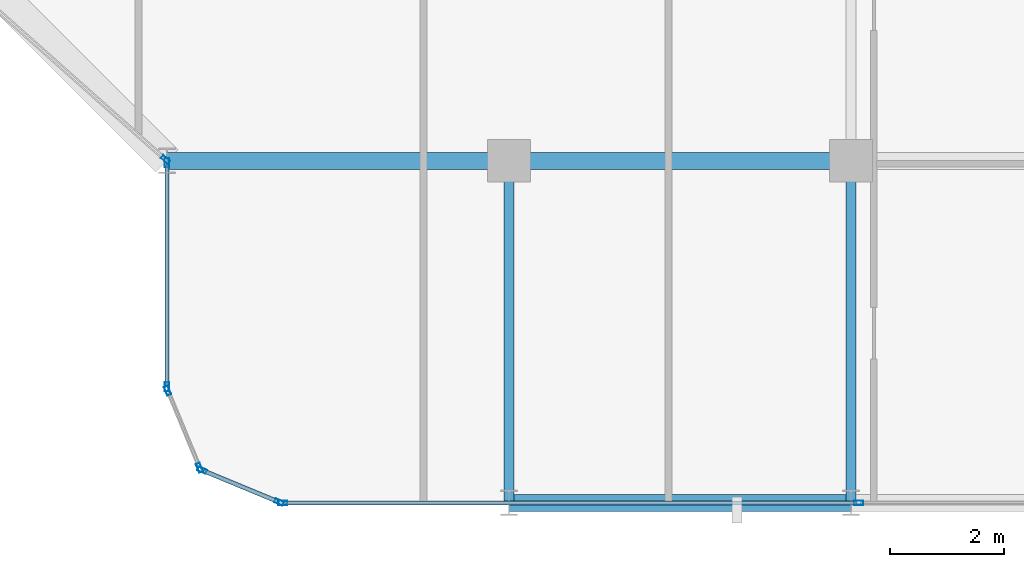
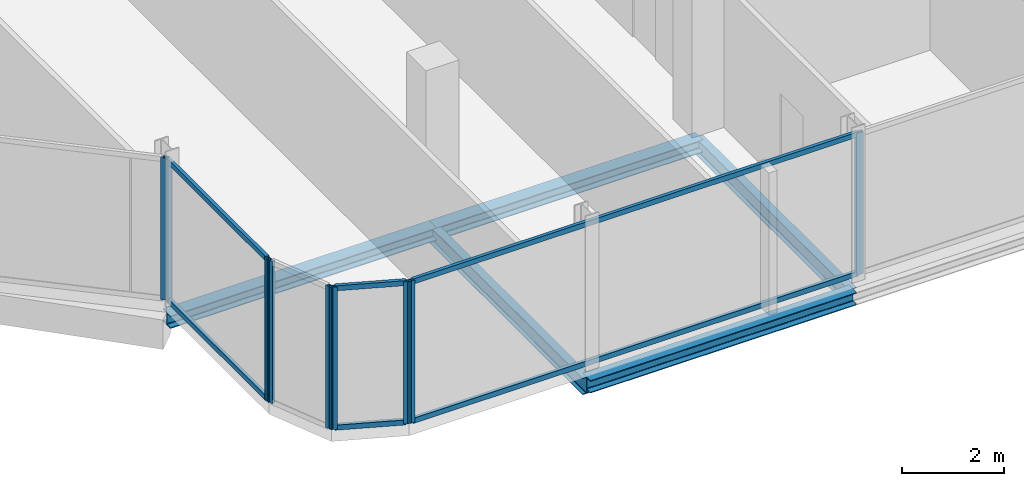
# One storey, part 6 of 29: 15 members, 5 beams, 5 elements without a shape of their own.
"""IFC4 building model written with IfcOpenShell, lengths in metres."""

from ifc_helpers import new_model, si_unit, direction, frame, origin, origin_2d, place, context, subcontext, project, spatial, hollow_rectangle, i_section, extrude, material, layer, layer_set, material_profile, profile_set, type_object, element, aggregate, save


model = new_model("IFC4")

# Units and contexts
model_context = context("Model", 3, precision=1e-05, world=origin(), true_north=direction((0.0, 1.0)))
body_context = subcontext(model_context, "Body", "Model", "MODEL_VIEW")
ifc_project = project(units=[si_unit("LENGTHUNIT", "METRE"), si_unit("AREAUNIT", "SQUARE_METRE"), si_unit("VOLUMEUNIT", "CUBIC_METRE"), si_unit("PLANEANGLEUNIT", "RADIAN"), si_unit("MASSUNIT", "GRAM", prefix="KILO")], contexts=[model_context])

# Site, building, storey
site_placement = place(None, origin())
site = spatial("IfcSite", under=ifc_project, at=site_placement, CompositionType="ELEMENT")
building_placement = place(site_placement, origin())
building = spatial("IfcBuilding", under=site, at=building_placement, Name="Keshet Zoharim Tower", CompositionType="ELEMENT")
storey_placement = place(building_placement, frame((0.0, 0.0, 226.5)))
storey = spatial("IfcBuildingStorey", under=building, at=storey_placement, Name="L56", CompositionType="ELEMENT", Elevation=226.5)

# Beams
ifc_material_1 = material(Name="Steel S355", Category="steel")
ifc_material_profile_1 = material_profile(ifc_material_1, i_section(OverallWidth=0.300048828125, OverallDepth=0.300048828125, WebThickness=0.010986328125, FlangeThickness=0.01904296875, FilletRadius=0.027099609375, at=origin_2d()), Name="HEB300")
ifc_profile_set_1 = profile_set([ifc_material_profile_1], Name="Steel S355")
beam_type_1 = type_object("IfcBeamType", Name="BM-PRI-HB300", PredefinedType="BEAM", material=ifc_profile_set_1)
for number, where, z_axis, x_axis, name in (
    (1, (27.0, 0.699951171875, -0.4599609375), (1.0, 0.0, 0.0), (0.0, 1.0, 0.0), "L56 Primary Girder X-001"),
    (2, (21.0, 6.699951171875, -0.4599609375), (1.0, 0.0, 0.0), (0.0, 1.0, 0.0), "L56 Primary Girder X-005"),
    (3, (27.0, 6.699951171875, -0.4599609375), (1.0, 0.0, 0.0), (0.0, 1.0, 0.0), "L56 Primary Girder X-006"),
):
    element("IfcBeam", number, at=place(storey_placement, frame(where, z_axis=z_axis, x_axis=x_axis)), inside=storey, type_object=beam_type_1, Name=name, PredefinedType="BEAM", context=body_context, shape_type="SweptSolid", body=[
        extrude(i_section(OverallWidth=0.300048828125, OverallDepth=0.300048828125, WebThickness=0.010986328125, FlangeThickness=0.01904296875, FilletRadius=0.027099609375, at=origin_2d()), origin(), (0.0, 0.0, 1.0), 6.0),
    ])
ifc_material_profile_2 = material_profile(ifc_material_1, i_section(OverallWidth=0.179931640625, OverallDepth=0.39990234375, WebThickness=0.008544921875, FlangeThickness=0.013427734375, FilletRadius=0.02099609375, at=origin_2d()), Name="IPE400")
ifc_profile_set_2 = profile_set([ifc_material_profile_2], Name="Steel S355")
beam_type_2 = type_object("IfcBeamType", Name="BM-PRI-IP400", PredefinedType="BEAM", material=ifc_profile_set_2)
for number, where, z_axis, x_axis, name in (
    (4, (27.0, 0.699951171875, -0.510009765625), (0.0, 1.0, 0.0), (-1.0, 0.0, 0.0), "L56 Primary Girder Y-004"),
    (5, (33.0, 0.699951171875, -0.510009765625), (0.0, 1.0, 0.0), (-1.0, 0.0, 0.0), "L56 Primary Girder Y-005"),
):
    element("IfcBeam", number, at=place(storey_placement, frame(where, z_axis=z_axis, x_axis=x_axis)), inside=storey, type_object=beam_type_2, Name=name, PredefinedType="BEAM", context=body_context, shape_type="SweptSolid", body=[
        extrude(i_section(OverallWidth=0.179931640625, OverallDepth=0.39990234375, WebThickness=0.008544921875, FlangeThickness=0.013427734375, FilletRadius=0.02099609375, at=origin_2d()), origin(), (0.0, 0.0, 1.0), 6.0),
    ])

# Curtain wall, members
ifc_material_2 = material(Name="Aluminium 6063-T6", Category="aluminium")
ifc_layer = layer(ifc_material_2, 0.139892578125)
ifc_layer_set = layer_set([ifc_layer], Name="Aluminium 6063-T6")
curtain_wall_type = type_object("IfcCurtainWallType", Name="CW-SYS-05", PredefinedType="NOTDEFINED", material=ifc_layer_set)
curtain_wall_1_placement = place(storey_placement, origin())
curtain_wall_1 = element("IfcCurtainWall", 6, at=curtain_wall_1_placement, inside=storey, type_object=curtain_wall_type, Name="L56 Unitised Curtain Wall 06 Part 3", PredefinedType="NOTDEFINED")
ifc_material_profile_3 = material_profile(ifc_material_2, hollow_rectangle(XDim=0.074951171875, YDim=0.159912109375, WallThickness=0.00390625, at=origin_2d()), Name="MUL-75x160")
ifc_profile_set_3 = profile_set([ifc_material_profile_3], Name="Aluminium 6063-T6")
member_type_1 = type_object("IfcMemberType", Name="CWM-M15", PredefinedType="MULLION", material=ifc_profile_set_3)
member_1_placement = place(storey_placement, frame((33.1376953125, 0.699951171875, 0.0), z_axis=(0.0, 0.0, 1.0), x_axis=(0.0, -1.0, 0.0)))
member_1 = element("IfcMember", 7, at=member_1_placement, type_object=member_type_1, Name="CW-05 mullion 2", PredefinedType="MULLION", context=body_context, shape_type="SweptSolid", body=[
    extrude(hollow_rectangle(XDim=0.074951171875, YDim=0.159912109375, WallThickness=0.00390625, at=origin_2d()), origin(), (0.0, 0.0, 1.0), 3.389892578125),
])
member_2_placement = place(storey_placement, frame((23.034912109375, 0.699951171875, 0.0), z_axis=(0.0, 0.0, 1.0), x_axis=(0.0, -1.0, 0.0)))
member_2 = element("IfcMember", 8, at=member_2_placement, type_object=member_type_1, Name="CW-05 mullion 3", PredefinedType="MULLION", context=body_context, shape_type="SweptSolid", body=[
    extrude(hollow_rectangle(XDim=0.074951171875, YDim=0.159912109375, WallThickness=0.00390625, at=origin_2d()), origin(), (0.0, 0.0, 1.0), 3.389892578125),
])

curtain_wall_2_placement = place(storey_placement, origin())
curtain_wall_2 = element("IfcCurtainWall", 9, at=curtain_wall_2_placement, inside=storey, type_object=curtain_wall_type, Name="L56 Unitised Curtain Wall 07", PredefinedType="NOTDEFINED")
member_3_placement = place(storey_placement, frame((22.9677734375, 0.71337890625, 0.0), z_axis=(0.0, 0.0, 1.0), x_axis=(-0.382851849847, -0.92380975372, 0.0)))
member_3 = element("IfcMember", 10, at=member_3_placement, type_object=member_type_1, Name="CW-05 mullion 1", PredefinedType="MULLION", context=body_context, shape_type="SweptSolid", body=[
    extrude(hollow_rectangle(XDim=0.074951171875, YDim=0.159912109375, WallThickness=0.00390625, at=origin_2d()), origin(), (0.0, 0.0, 1.0), 3.389892578125),
])
member_4_placement = place(storey_placement, frame((21.618408203125, 1.272705078125, 0.0), z_axis=(0.0, 0.0, 1.0), x_axis=(-0.382851849847, -0.92380975372, 0.0)))
member_4 = element("IfcMember", 11, at=member_4_placement, type_object=member_type_1, Name="CW-05 mullion 2", PredefinedType="MULLION", context=body_context, shape_type="SweptSolid", body=[
    extrude(hollow_rectangle(XDim=0.074951171875, YDim=0.159912109375, WallThickness=0.00390625, at=origin_2d()), origin(), (0.0, 0.0, 1.0), 3.389892578125),
])

curtain_wall_3_placement = place(storey_placement, origin())
curtain_wall_3 = element("IfcCurtainWall", 12, at=curtain_wall_3_placement, inside=storey, type_object=curtain_wall_type, Name="L56 Unitised Curtain Wall 08", PredefinedType="NOTDEFINED")
member_5_placement = place(storey_placement, frame((21.572509765625, 1.318359375, 0.0), z_axis=(0.0, 0.0, 1.0), x_axis=(-0.92380975372, -0.382851849847, 0.0)))
member_5 = element("IfcMember", 13, at=member_5_placement, type_object=member_type_1, Name="CW-05 mullion 1", PredefinedType="MULLION", context=body_context, shape_type="SweptSolid", body=[
    extrude(hollow_rectangle(XDim=0.074951171875, YDim=0.159912109375, WallThickness=0.00390625, at=origin_2d()), origin(), (0.0, 0.0, 1.0), 3.389892578125),
])
member_6_placement = place(storey_placement, frame((21.013427734375, 2.667724609375, 0.0), z_axis=(0.0, 0.0, 1.0), x_axis=(-0.92380975372, -0.382851849847, 0.0)))
member_6 = element("IfcMember", 14, at=member_6_placement, type_object=member_type_1, Name="CW-05 mullion 2", PredefinedType="MULLION", context=body_context, shape_type="SweptSolid", body=[
    extrude(hollow_rectangle(XDim=0.074951171875, YDim=0.159912109375, WallThickness=0.00390625, at=origin_2d()), origin(), (0.0, 0.0, 1.0), 3.389892578125),
])
aggregate(curtain_wall_3, [member_5, member_6])

curtain_wall_4_placement = place(storey_placement, origin())
curtain_wall_4 = element("IfcCurtainWall", 15, at=curtain_wall_4_placement, inside=storey, type_object=curtain_wall_type, Name="L56 Unitised Curtain Wall 09", PredefinedType="NOTDEFINED")
member_7_placement = place(storey_placement, frame((21.0, 2.735107421875, 0.0), z_axis=(0.0, 0.0, 1.0), x_axis=(-1.0, 0.0, 0.0)))
member_7 = element("IfcMember", 16, at=member_7_placement, type_object=member_type_1, Name="CW-05 mullion 1", PredefinedType="MULLION", context=body_context, shape_type="SweptSolid", body=[
    extrude(hollow_rectangle(XDim=0.074951171875, YDim=0.159912109375, WallThickness=0.00390625, at=origin_2d()), origin(), (0.0, 0.0, 1.0), 3.389892578125),
])
member_8_placement = place(storey_placement, frame((21.0, 6.6650390625, 0.0), z_axis=(0.0, 0.0, 1.0), x_axis=(-1.0, 0.0, 0.0)))
member_8 = element("IfcMember", 17, at=member_8_placement, type_object=member_type_1, Name="CW-05 mullion 2", PredefinedType="MULLION", context=body_context, shape_type="SweptSolid", body=[
    extrude(hollow_rectangle(XDim=0.074951171875, YDim=0.159912109375, WallThickness=0.00390625, at=origin_2d()), origin(), (0.0, 0.0, 1.0), 3.389892578125),
])

# Curtain wall, member
curtain_wall_5_placement = place(storey_placement, origin())
curtain_wall_5 = element("IfcCurtainWall", 18, at=curtain_wall_5_placement, inside=storey, type_object=curtain_wall_type, Name="L56 Unitised Curtain Wall 10", PredefinedType="NOTDEFINED")
member_9_placement = place(storey_placement, frame((20.973876953125, 6.72314453125, 0.0), z_axis=(0.0, 0.0, 1.0), x_axis=(-0.664363086114, -0.747409987764, 0.0)))
member_9 = element("IfcMember", 19, at=member_9_placement, type_object=member_type_1, Name="CW-05 mullion 1", PredefinedType="MULLION", context=body_context, shape_type="SweptSolid", body=[
    extrude(hollow_rectangle(XDim=0.074951171875, YDim=0.159912109375, WallThickness=0.00390625, at=origin_2d()), origin(), (0.0, 0.0, 1.0), 3.389892578125),
])
aggregate(curtain_wall_5, [member_9])

# Member
ifc_material_profile_4 = material_profile(ifc_material_2, hollow_rectangle(XDim=0.074951171875, YDim=0.1201171875, WallThickness=0.00390625, at=origin_2d()), Name="TRN-75x120")
ifc_profile_set_4 = profile_set([ifc_material_profile_4], Name="Aluminium 6063-T6")
member_type_2 = type_object("IfcMemberType", Name="CWT-T12", PredefinedType="USERDEFINED", material=ifc_profile_set_4)
member_10_placement = place(storey_placement, frame((33.1025390625, 0.699951171875, 0.034912109375), z_axis=(-1.0, 0.0, 0.0), x_axis=(0.0, -1.0, 0.0)))
member_10 = element("IfcMember", 20, at=member_10_placement, type_object=member_type_2, Name="CW-05 transom 2.1", ObjectType="TRANSOM", PredefinedType="USERDEFINED", context=body_context, shape_type="SweptSolid", body=[
    extrude(hollow_rectangle(XDim=0.074951171875, YDim=0.1201171875, WallThickness=0.00390625, at=origin_2d()), origin(), (0.0, 0.0, 1.0), 10.032470703125),
])

member_11_placement = place(storey_placement, frame((33.1025390625, 0.699951171875, 3.35498046875), z_axis=(-1.0, 0.0, 0.0), x_axis=(0.0, -1.0, 0.0)))
member_11 = element("IfcMember", 21, at=member_11_placement, type_object=member_type_2, Name="CW-05 transom 2.2", ObjectType="TRANSOM", PredefinedType="USERDEFINED", context=body_context, shape_type="SweptSolid", body=[
    extrude(hollow_rectangle(XDim=0.074951171875, YDim=0.1201171875, WallThickness=0.00390625, at=origin_2d()), origin(), (0.0, 0.0, 1.0), 10.032470703125),
])

aggregate(curtain_wall_1, [member_1, member_2, member_10, member_11])

member_12_placement = place(storey_placement, frame((22.935302734375, 0.726806640625, 0.034912109375), z_axis=(-0.92379209995, 0.382894445076, 0.0), x_axis=(-0.382894445076, -0.92379209995, 0.0)))
member_12 = element("IfcMember", 22, at=member_12_placement, type_object=member_type_2, Name="CW-05 transom 1.1", ObjectType="TRANSOM", PredefinedType="USERDEFINED", context=body_context, shape_type="SweptSolid", body=[
    extrude(hollow_rectangle(XDim=0.074951171875, YDim=0.1201171875, WallThickness=0.00390625, at=origin_2d()), origin(), (0.0, 0.0, 1.0), 1.390625),
])

member_13_placement = place(storey_placement, frame((22.935302734375, 0.726806640625, 3.35498046875), z_axis=(-0.92379209995, 0.382894445076, 0.0), x_axis=(-0.382894445076, -0.92379209995, 0.0)))
member_13 = element("IfcMember", 23, at=member_13_placement, type_object=member_type_2, Name="CW-05 transom 1.2", ObjectType="TRANSOM", PredefinedType="USERDEFINED", context=body_context, shape_type="SweptSolid", body=[
    extrude(hollow_rectangle(XDim=0.074951171875, YDim=0.1201171875, WallThickness=0.00390625, at=origin_2d()), origin(), (0.0, 0.0, 1.0), 1.390625),
])

aggregate(curtain_wall_2, [member_3, member_4, member_12, member_13])

member_14_placement = place(storey_placement, frame((21.0, 2.77001953125, 0.034912109375), z_axis=(0.0, 1.0, 0.0), x_axis=(-1.0, 0.0, 0.0)))
member_14 = element("IfcMember", 24, at=member_14_placement, type_object=member_type_2, Name="CW-05 transom 1.1", ObjectType="TRANSOM", PredefinedType="USERDEFINED", context=body_context, shape_type="SweptSolid", body=[
    extrude(hollow_rectangle(XDim=0.074951171875, YDim=0.1201171875, WallThickness=0.00390625, at=origin_2d()), origin(), (0.0, 0.0, 1.0), 3.85986328125),
])

member_15_placement = place(storey_placement, frame((21.0, 2.77001953125, 3.35498046875), z_axis=(0.0, 1.0, 0.0), x_axis=(-1.0, 0.0, 0.0)))
member_15 = element("IfcMember", 25, at=member_15_placement, type_object=member_type_2, Name="CW-05 transom 1.2", ObjectType="TRANSOM", PredefinedType="USERDEFINED", context=body_context, shape_type="SweptSolid", body=[
    extrude(hollow_rectangle(XDim=0.074951171875, YDim=0.1201171875, WallThickness=0.00390625, at=origin_2d()), origin(), (0.0, 0.0, 1.0), 3.85986328125),
])

aggregate(curtain_wall_4, [member_7, member_8, member_14, member_15])

save(model, "model.ifc")
